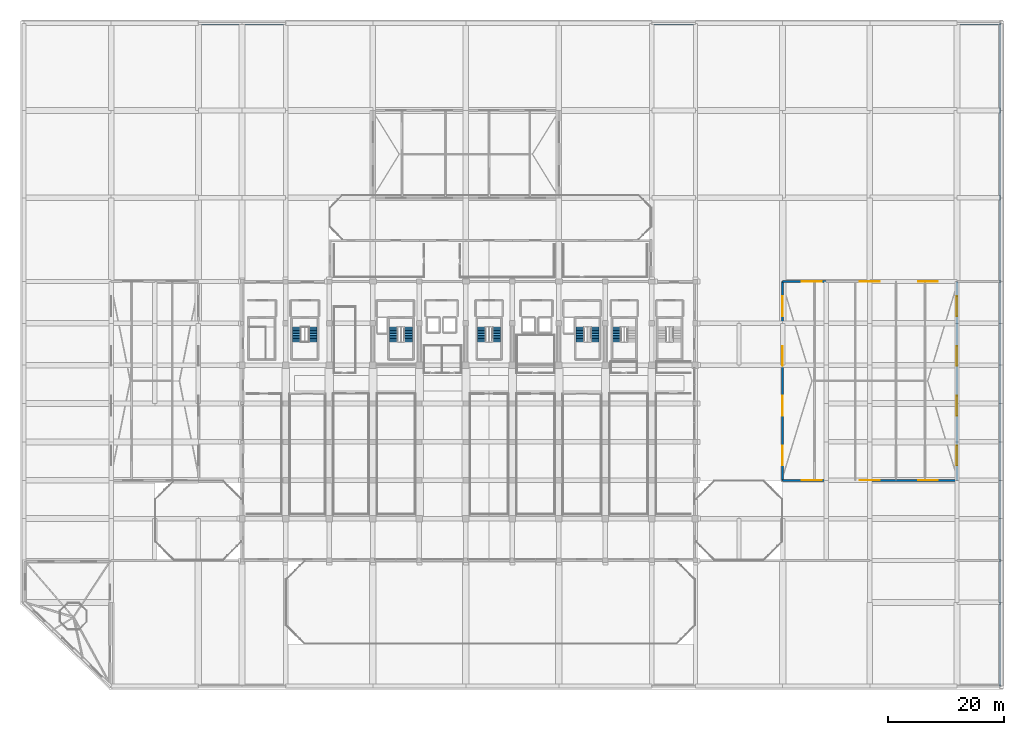
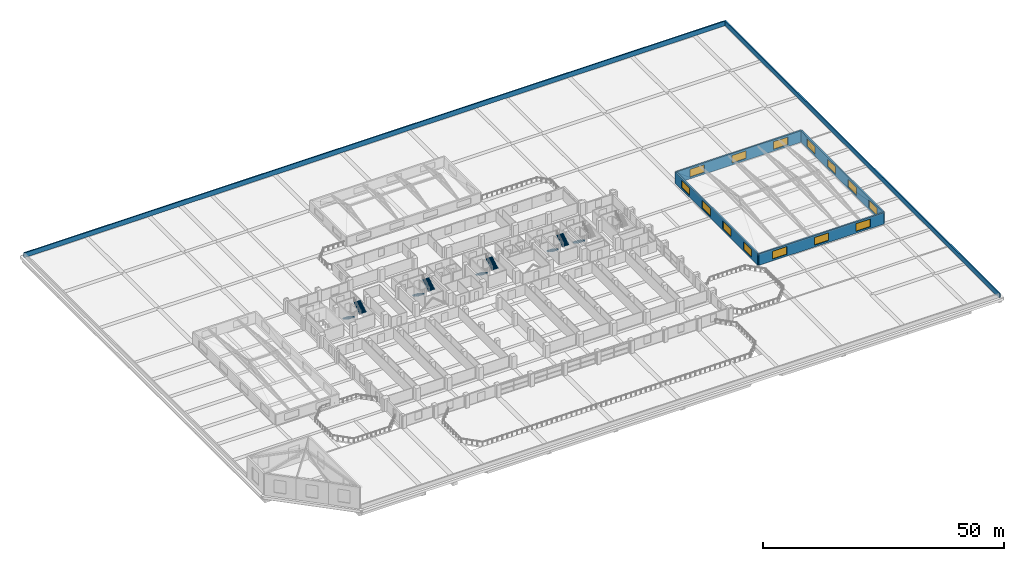
# One storey, part 43 of 49: 14 windows, 9 stair flights, 6 walls, 14 openings, 5 elements without a shape of their own.
"""IFC4 building model written with IfcOpenShell, lengths in metres."""

from ifc_helpers import new_model, si_unit, direction, frame, frame_2d, origin, place, context, subcontext, project, spatial, polyline, rectangle, outline, extrude, material, layer, layer_set, type_object, element, fill, aggregate, save


model = new_model("IFC4")

# Units and contexts
model_context = context("Model", 3, precision=1e-05, world=origin(), true_north=direction((0.0, 1.0)))
body_context = subcontext(model_context, "Body", "Model", "MODEL_VIEW")
ifc_project = project(units=[si_unit("LENGTHUNIT", "METRE"), si_unit("AREAUNIT", "SQUARE_METRE"), si_unit("VOLUMEUNIT", "CUBIC_METRE"), si_unit("PLANEANGLEUNIT", "RADIAN"), si_unit("MASSUNIT", "GRAM", prefix="KILO")], contexts=[model_context])

# Site, building, storey
site_placement = place(None, origin())
site = spatial("IfcSite", under=ifc_project, at=site_placement, CompositionType="ELEMENT")
building_placement = place(site_placement, origin())
building = spatial("IfcBuilding", under=site, at=building_placement, Name="Akrevak Sports Hall", CompositionType="ELEMENT")
storey_placement = place(building_placement, frame((0.0, 0.0, 24.14990234375)))
storey = spatial("IfcBuildingStorey", under=building, at=storey_placement, Name="L04", CompositionType="ELEMENT", Elevation=24.14990234375)

# Wall, openings, windows
ifc_material_1 = material(Name="Limestone Ashlar", Category="stone")
ifc_layer_1 = layer(ifc_material_1, 0.070068359375, Name="Limestone Ashlar")
ifc_material_2 = material(Name="Mineral Wool Thermal Insulation", Category="insulation")
ifc_layer_2 = layer(ifc_material_2, 0.10009765625, Name="Mineral Wool Thermal Insulation")
ifc_material_3 = material(Name="Concrete C40/50", Category="concrete")
ifc_layer_3 = layer(ifc_material_3, 0.169921875, Name="Concrete C40/50")
ifc_layer_set_1 = layer_set([ifc_layer_1, ifc_layer_2, ifc_layer_3], Name="Limestone Ashlar / Mineral Wool Thermal Insulation / Concrete C40/50")
wall_type_1 = type_object("IfcWallType", Name="ARC-WL-EXT-340", PredefinedType="SOLIDWALL", material=ifc_layer_set_1)
wall_1_placement = place(storey_placement, frame((130.5, 35.39990234375, 0.0), z_axis=(0.0, 0.0, 1.0), x_axis=(1.0, 0.0, 0.0)))
wall_1 = element("IfcWall", 1, at=wall_1_placement, inside=storey, type_object=wall_type_1, Name="East Volleyball & Climbing Monitor S Wall", PredefinedType="SOLIDWALL", context=body_context, shape_type="SweptSolid", body=[
    extrude(rectangle(XDim=30.0, YDim=0.340087890625, at=frame_2d((15.0, 0.0))), origin(), (0.0, 0.0, 1.0), 2.900146484375),
])
opening_1_placement = place(wall_1_placement, frame((3.300048828125, 0.0, 0.4599609375)))
opening_1 = element("IfcOpeningElement", 2, at=opening_1_placement, cuts=wall_1, Name="Opening WN-60", PredefinedType="OPENING", context=body_context, shape_type="SweptSolid", body=[
    extrude(rectangle(XDim=3.39990234375, YDim=1.93994140625, at=frame_2d((1.699951171875, 0.969970703125))), frame((0.0, 0.18212890625, 0.0), z_axis=(0.0, -1.0, 0.0), x_axis=(1.0, 0.0, 0.0)), (0.0, 0.0, 1.0), 0.364013671875),
])
opening_2_placement = place(wall_1_placement, frame((13.300048828125, 0.0, 0.4599609375)))
opening_2 = element("IfcOpeningElement", 3, at=opening_2_placement, cuts=wall_1, Name="Opening WN-60", PredefinedType="OPENING", context=body_context, shape_type="SweptSolid", body=[
    extrude(rectangle(XDim=3.39990234375, YDim=1.93994140625, at=frame_2d((1.699951171875, 0.969970703125))), frame((0.0, 0.18212890625, 0.0), z_axis=(0.0, -1.0, 0.0), x_axis=(1.0, 0.0, 0.0)), (0.0, 0.0, 1.0), 0.364013671875),
])
opening_3_placement = place(wall_1_placement, frame((23.300048828125, 0.0, 0.4599609375)))
opening_3 = element("IfcOpeningElement", 4, at=opening_3_placement, cuts=wall_1, Name="Opening WN-60", PredefinedType="OPENING", context=body_context, shape_type="SweptSolid", body=[
    extrude(rectangle(XDim=3.39990234375, YDim=1.93994140625, at=frame_2d((1.699951171875, 0.969970703125))), frame((0.0, 0.18212890625, 0.0), z_axis=(0.0, -1.0, 0.0), x_axis=(1.0, 0.0, 0.0)), (0.0, 0.0, 1.0), 0.364013671875),
])
ifc_material_4 = material(Name="Thermally Broken Bronze Frame & Double Low-E Glass", Category="glass")
window_type = type_object("IfcWindowType", Name="ARC-WIN-SZ-3400x1940", PartitioningType="SINGLE_PANEL", PredefinedType="WINDOW", material=ifc_material_4)
window_1_placement = place(opening_1_placement, origin())
window_1 = element("IfcWindow", 5, at=window_1_placement, inside=storey, type_object=window_type, Name="East Volleyball & Climbing Monitor Clerestory Window S.1", OverallHeight=1.93994140625, OverallWidth=3.39990234375, PartitioningType="SINGLE_PANEL", PredefinedType="WINDOW", context=body_context, shape_type="SweptSolid", body=[
    extrude(rectangle(XDim=3.39990234375, YDim=1.93994140625, at=frame_2d((1.699951171875, 0.969970703125))), frame((0.0, 0.030029296875, 0.0), z_axis=(0.0, -1.0, 0.0), x_axis=(1.0, 0.0, 0.0)), (0.0, 0.0, 1.0), 0.06005859375),
])
fill(opening_1, window_1)
window_2_placement = place(opening_2_placement, origin())
window_2 = element("IfcWindow", 6, at=window_2_placement, inside=storey, type_object=window_type, Name="East Volleyball & Climbing Monitor Clerestory Window S.2", OverallHeight=1.93994140625, OverallWidth=3.39990234375, PartitioningType="SINGLE_PANEL", PredefinedType="WINDOW", context=body_context, shape_type="SweptSolid", body=[
    extrude(rectangle(XDim=3.39990234375, YDim=1.93994140625, at=frame_2d((1.699951171875, 0.969970703125))), frame((0.0, 0.030029296875, 0.0), z_axis=(0.0, -1.0, 0.0), x_axis=(1.0, 0.0, 0.0)), (0.0, 0.0, 1.0), 0.06005859375),
])
fill(opening_2, window_2)
window_3_placement = place(opening_3_placement, origin())
window_3 = element("IfcWindow", 7, at=window_3_placement, inside=storey, type_object=window_type, Name="East Volleyball & Climbing Monitor Clerestory Window S.3", OverallHeight=1.93994140625, OverallWidth=3.39990234375, PartitioningType="SINGLE_PANEL", PredefinedType="WINDOW", context=body_context, shape_type="SweptSolid", body=[
    extrude(rectangle(XDim=3.39990234375, YDim=1.93994140625, at=frame_2d((1.699951171875, 0.969970703125))), frame((0.0, 0.030029296875, 0.0), z_axis=(0.0, -1.0, 0.0), x_axis=(1.0, 0.0, 0.0)), (0.0, 0.0, 1.0), 0.06005859375),
])
fill(opening_3, window_3)

wall_2_placement = place(storey_placement, frame((160.5, 35.39990234375, 0.0), z_axis=(0.0, 0.0, 1.0), x_axis=(0.0, 1.0, 0.0)))
wall_2 = element("IfcWall", 8, at=wall_2_placement, inside=storey, type_object=wall_type_1, Name="East Volleyball & Climbing Monitor E Wall", PredefinedType="SOLIDWALL", context=body_context, shape_type="SweptSolid", body=[
    extrude(rectangle(XDim=34.2001953125, YDim=0.340087890625, at=frame_2d((17.10009765625, 0.0))), origin(), (0.0, 0.0, 1.0), 2.900146484375),
])
opening_4_placement = place(wall_2_placement, frame((2.574951171875, 0.0, 0.4599609375)))
opening_4 = element("IfcOpeningElement", 9, at=opening_4_placement, cuts=wall_2, Name="Opening WN-60", PredefinedType="OPENING", context=body_context, shape_type="SweptSolid", body=[
    extrude(rectangle(XDim=3.39990234375, YDim=1.93994140625, at=frame_2d((1.699951171875, 0.969970703125))), frame((0.0, 0.18212890625, 0.0), z_axis=(0.0, -1.0, 0.0), x_axis=(1.0, 0.0, 0.0)), (0.0, 0.0, 1.0), 0.364013671875),
])
opening_5_placement = place(wall_2_placement, frame((11.125, 0.0, 0.4599609375)))
opening_5 = element("IfcOpeningElement", 10, at=opening_5_placement, cuts=wall_2, Name="Opening WN-60", PredefinedType="OPENING", context=body_context, shape_type="SweptSolid", body=[
    extrude(rectangle(XDim=3.39990234375, YDim=1.93994140625, at=frame_2d((1.699951171875, 0.969970703125))), frame((0.0, 0.18212890625, 0.0), z_axis=(0.0, -1.0, 0.0), x_axis=(1.0, 0.0, 0.0)), (0.0, 0.0, 1.0), 0.364013671875),
])
opening_6_placement = place(wall_2_placement, frame((19.675048828125, 0.0, 0.4599609375)))
opening_6 = element("IfcOpeningElement", 11, at=opening_6_placement, cuts=wall_2, Name="Opening WN-60", PredefinedType="OPENING", context=body_context, shape_type="SweptSolid", body=[
    extrude(rectangle(XDim=3.39990234375, YDim=1.93994140625, at=frame_2d((1.699951171875, 0.969970703125))), frame((0.0, 0.18212890625, 0.0), z_axis=(0.0, -1.0, 0.0), x_axis=(1.0, 0.0, 0.0)), (0.0, 0.0, 1.0), 0.364013671875),
])
opening_7_placement = place(wall_2_placement, frame((28.22509765625, 0.0, 0.4599609375)))
opening_7 = element("IfcOpeningElement", 12, at=opening_7_placement, cuts=wall_2, Name="Opening WN-60", PredefinedType="OPENING", context=body_context, shape_type="SweptSolid", body=[
    extrude(rectangle(XDim=3.39990234375, YDim=1.93994140625, at=frame_2d((1.699951171875, 0.969970703125))), frame((0.0, 0.18212890625, 0.0), z_axis=(0.0, -1.0, 0.0), x_axis=(1.0, 0.0, 0.0)), (0.0, 0.0, 1.0), 0.364013671875),
])
window_4_placement = place(opening_4_placement, origin())
window_4 = element("IfcWindow", 13, at=window_4_placement, inside=storey, type_object=window_type, Name="East Volleyball & Climbing Monitor Clerestory Window E.1", OverallHeight=1.93994140625, OverallWidth=3.39990234375, PartitioningType="SINGLE_PANEL", PredefinedType="WINDOW", context=body_context, shape_type="SweptSolid", body=[
    extrude(rectangle(XDim=3.39990234375, YDim=1.93994140625, at=frame_2d((1.699951171875, 0.969970703125))), frame((0.0, 0.030029296875, 0.0), z_axis=(0.0, -1.0, 0.0), x_axis=(1.0, 0.0, 0.0)), (0.0, 0.0, 1.0), 0.06005859375),
])
fill(opening_4, window_4)
window_5_placement = place(opening_5_placement, origin())
window_5 = element("IfcWindow", 14, at=window_5_placement, inside=storey, type_object=window_type, Name="East Volleyball & Climbing Monitor Clerestory Window E.2", OverallHeight=1.93994140625, OverallWidth=3.39990234375, PartitioningType="SINGLE_PANEL", PredefinedType="WINDOW", context=body_context, shape_type="SweptSolid", body=[
    extrude(rectangle(XDim=3.39990234375, YDim=1.93994140625, at=frame_2d((1.699951171875, 0.969970703125))), frame((0.0, 0.030029296875, 0.0), z_axis=(0.0, -1.0, 0.0), x_axis=(1.0, 0.0, 0.0)), (0.0, 0.0, 1.0), 0.06005859375),
])
fill(opening_5, window_5)
window_6_placement = place(opening_6_placement, origin())
window_6 = element("IfcWindow", 15, at=window_6_placement, inside=storey, type_object=window_type, Name="East Volleyball & Climbing Monitor Clerestory Window E.3", OverallHeight=1.93994140625, OverallWidth=3.39990234375, PartitioningType="SINGLE_PANEL", PredefinedType="WINDOW", context=body_context, shape_type="SweptSolid", body=[
    extrude(rectangle(XDim=3.39990234375, YDim=1.93994140625, at=frame_2d((1.699951171875, 0.969970703125))), frame((0.0, 0.030029296875, 0.0), z_axis=(0.0, -1.0, 0.0), x_axis=(1.0, 0.0, 0.0)), (0.0, 0.0, 1.0), 0.06005859375),
])
fill(opening_6, window_6)
window_7_placement = place(opening_7_placement, origin())
window_7 = element("IfcWindow", 16, at=window_7_placement, inside=storey, type_object=window_type, Name="East Volleyball & Climbing Monitor Clerestory Window E.4", OverallHeight=1.93994140625, OverallWidth=3.39990234375, PartitioningType="SINGLE_PANEL", PredefinedType="WINDOW", context=body_context, shape_type="SweptSolid", body=[
    extrude(rectangle(XDim=3.39990234375, YDim=1.93994140625, at=frame_2d((1.699951171875, 0.969970703125))), frame((0.0, 0.030029296875, 0.0), z_axis=(0.0, -1.0, 0.0), x_axis=(1.0, 0.0, 0.0)), (0.0, 0.0, 1.0), 0.06005859375),
])
fill(opening_7, window_7)

wall_3_placement = place(storey_placement, frame((160.5, 69.60009765625, 0.0), z_axis=(0.0, 0.0, 1.0), x_axis=(-1.0, 0.0, 0.0)))
wall_3 = element("IfcWall", 17, at=wall_3_placement, inside=storey, type_object=wall_type_1, Name="East Volleyball & Climbing Monitor N Wall", PredefinedType="SOLIDWALL", context=body_context, shape_type="SweptSolid", body=[
    extrude(rectangle(XDim=30.0, YDim=0.340087890625, at=frame_2d((15.0, 0.0))), origin(), (0.0, 0.0, 1.0), 2.900146484375),
])
opening_8_placement = place(wall_3_placement, frame((3.300048828125, 0.0, 0.4599609375)))
opening_8 = element("IfcOpeningElement", 18, at=opening_8_placement, cuts=wall_3, Name="Opening WN-60", PredefinedType="OPENING", context=body_context, shape_type="SweptSolid", body=[
    extrude(rectangle(XDim=3.39990234375, YDim=1.93994140625, at=frame_2d((1.699951171875, 0.969970703125))), frame((0.0, 0.18212890625, 0.0), z_axis=(0.0, -1.0, 0.0), x_axis=(1.0, 0.0, 0.0)), (0.0, 0.0, 1.0), 0.364013671875),
])
opening_9_placement = place(wall_3_placement, frame((13.300048828125, 0.0, 0.4599609375)))
opening_9 = element("IfcOpeningElement", 19, at=opening_9_placement, cuts=wall_3, Name="Opening WN-60", PredefinedType="OPENING", context=body_context, shape_type="SweptSolid", body=[
    extrude(rectangle(XDim=3.39990234375, YDim=1.93994140625, at=frame_2d((1.699951171875, 0.969970703125))), frame((0.0, 0.18212890625, 0.0), z_axis=(0.0, -1.0, 0.0), x_axis=(1.0, 0.0, 0.0)), (0.0, 0.0, 1.0), 0.364013671875),
])
opening_10_placement = place(wall_3_placement, frame((23.300048828125, 0.0, 0.4599609375)))
opening_10 = element("IfcOpeningElement", 20, at=opening_10_placement, cuts=wall_3, Name="Opening WN-60", PredefinedType="OPENING", context=body_context, shape_type="SweptSolid", body=[
    extrude(rectangle(XDim=3.39990234375, YDim=1.93994140625, at=frame_2d((1.699951171875, 0.969970703125))), frame((0.0, 0.18212890625, 0.0), z_axis=(0.0, -1.0, 0.0), x_axis=(1.0, 0.0, 0.0)), (0.0, 0.0, 1.0), 0.364013671875),
])
window_8_placement = place(opening_8_placement, origin())
window_8 = element("IfcWindow", 21, at=window_8_placement, inside=storey, type_object=window_type, Name="East Volleyball & Climbing Monitor Clerestory Window N.1", OverallHeight=1.93994140625, OverallWidth=3.39990234375, PartitioningType="SINGLE_PANEL", PredefinedType="WINDOW", context=body_context, shape_type="SweptSolid", body=[
    extrude(rectangle(XDim=3.39990234375, YDim=1.93994140625, at=frame_2d((1.699951171875, 0.969970703125))), frame((0.0, 0.030029296875, 0.0), z_axis=(0.0, -1.0, 0.0), x_axis=(1.0, 0.0, 0.0)), (0.0, 0.0, 1.0), 0.06005859375),
])
fill(opening_8, window_8)
window_9_placement = place(opening_9_placement, origin())
window_9 = element("IfcWindow", 22, at=window_9_placement, inside=storey, type_object=window_type, Name="East Volleyball & Climbing Monitor Clerestory Window N.2", OverallHeight=1.93994140625, OverallWidth=3.39990234375, PartitioningType="SINGLE_PANEL", PredefinedType="WINDOW", context=body_context, shape_type="SweptSolid", body=[
    extrude(rectangle(XDim=3.39990234375, YDim=1.93994140625, at=frame_2d((1.699951171875, 0.969970703125))), frame((0.0, 0.030029296875, 0.0), z_axis=(0.0, -1.0, 0.0), x_axis=(1.0, 0.0, 0.0)), (0.0, 0.0, 1.0), 0.06005859375),
])
fill(opening_9, window_9)
window_10_placement = place(opening_10_placement, origin())
window_10 = element("IfcWindow", 23, at=window_10_placement, inside=storey, type_object=window_type, Name="East Volleyball & Climbing Monitor Clerestory Window N.3", OverallHeight=1.93994140625, OverallWidth=3.39990234375, PartitioningType="SINGLE_PANEL", PredefinedType="WINDOW", context=body_context, shape_type="SweptSolid", body=[
    extrude(rectangle(XDim=3.39990234375, YDim=1.93994140625, at=frame_2d((1.699951171875, 0.969970703125))), frame((0.0, 0.030029296875, 0.0), z_axis=(0.0, -1.0, 0.0), x_axis=(1.0, 0.0, 0.0)), (0.0, 0.0, 1.0), 0.06005859375),
])
fill(opening_10, window_10)

wall_4_placement = place(storey_placement, frame((130.5, 69.60009765625, 0.0), z_axis=(0.0, 0.0, 1.0), x_axis=(0.0, -1.0, 0.0)))
wall_4 = element("IfcWall", 24, at=wall_4_placement, inside=storey, type_object=wall_type_1, Name="East Volleyball & Climbing Monitor W Wall", PredefinedType="SOLIDWALL", context=body_context, shape_type="SweptSolid", body=[
    extrude(rectangle(XDim=34.2001953125, YDim=0.340087890625, at=frame_2d((17.10009765625, 0.0))), origin(), (0.0, 0.0, 1.0), 2.900146484375),
])
opening_11_placement = place(wall_4_placement, frame((2.574951171875, 0.0, 0.4599609375)))
opening_11 = element("IfcOpeningElement", 25, at=opening_11_placement, cuts=wall_4, Name="Opening WN-60", PredefinedType="OPENING", context=body_context, shape_type="SweptSolid", body=[
    extrude(rectangle(XDim=3.39990234375, YDim=1.93994140625, at=frame_2d((1.699951171875, 0.969970703125))), frame((0.0, 0.18212890625, 0.0), z_axis=(0.0, -1.0, 0.0), x_axis=(1.0, 0.0, 0.0)), (0.0, 0.0, 1.0), 0.364013671875),
])
opening_12_placement = place(wall_4_placement, frame((11.125, 0.0, 0.4599609375)))
opening_12 = element("IfcOpeningElement", 26, at=opening_12_placement, cuts=wall_4, Name="Opening WN-60", PredefinedType="OPENING", context=body_context, shape_type="SweptSolid", body=[
    extrude(rectangle(XDim=3.39990234375, YDim=1.93994140625, at=frame_2d((1.699951171875, 0.969970703125))), frame((0.0, 0.18212890625, 0.0), z_axis=(0.0, -1.0, 0.0), x_axis=(1.0, 0.0, 0.0)), (0.0, 0.0, 1.0), 0.364013671875),
])
opening_13_placement = place(wall_4_placement, frame((19.675048828125, 0.0, 0.4599609375)))
opening_13 = element("IfcOpeningElement", 27, at=opening_13_placement, cuts=wall_4, Name="Opening WN-60", PredefinedType="OPENING", context=body_context, shape_type="SweptSolid", body=[
    extrude(rectangle(XDim=3.39990234375, YDim=1.93994140625, at=frame_2d((1.699951171875, 0.969970703125))), frame((0.0, 0.18212890625, 0.0), z_axis=(0.0, -1.0, 0.0), x_axis=(1.0, 0.0, 0.0)), (0.0, 0.0, 1.0), 0.364013671875),
])
opening_14_placement = place(wall_4_placement, frame((28.22509765625, 0.0, 0.4599609375)))
opening_14 = element("IfcOpeningElement", 28, at=opening_14_placement, cuts=wall_4, Name="Opening WN-60", PredefinedType="OPENING", context=body_context, shape_type="SweptSolid", body=[
    extrude(rectangle(XDim=3.39990234375, YDim=1.93994140625, at=frame_2d((1.699951171875, 0.969970703125))), frame((0.0, 0.18212890625, 0.0), z_axis=(0.0, -1.0, 0.0), x_axis=(1.0, 0.0, 0.0)), (0.0, 0.0, 1.0), 0.364013671875),
])
window_11_placement = place(opening_11_placement, origin())
window_11 = element("IfcWindow", 29, at=window_11_placement, inside=storey, type_object=window_type, Name="East Volleyball & Climbing Monitor Clerestory Window W.1", OverallHeight=1.93994140625, OverallWidth=3.39990234375, PartitioningType="SINGLE_PANEL", PredefinedType="WINDOW", context=body_context, shape_type="SweptSolid", body=[
    extrude(rectangle(XDim=3.39990234375, YDim=1.93994140625, at=frame_2d((1.699951171875, 0.969970703125))), frame((0.0, 0.030029296875, 0.0), z_axis=(0.0, -1.0, 0.0), x_axis=(1.0, 0.0, 0.0)), (0.0, 0.0, 1.0), 0.06005859375),
])
fill(opening_11, window_11)
window_12_placement = place(opening_12_placement, origin())
window_12 = element("IfcWindow", 30, at=window_12_placement, inside=storey, type_object=window_type, Name="East Volleyball & Climbing Monitor Clerestory Window W.2", OverallHeight=1.93994140625, OverallWidth=3.39990234375, PartitioningType="SINGLE_PANEL", PredefinedType="WINDOW", context=body_context, shape_type="SweptSolid", body=[
    extrude(rectangle(XDim=3.39990234375, YDim=1.93994140625, at=frame_2d((1.699951171875, 0.969970703125))), frame((0.0, 0.030029296875, 0.0), z_axis=(0.0, -1.0, 0.0), x_axis=(1.0, 0.0, 0.0)), (0.0, 0.0, 1.0), 0.06005859375),
])
fill(opening_12, window_12)
window_13_placement = place(opening_13_placement, origin())
window_13 = element("IfcWindow", 31, at=window_13_placement, inside=storey, type_object=window_type, Name="East Volleyball & Climbing Monitor Clerestory Window W.3", OverallHeight=1.93994140625, OverallWidth=3.39990234375, PartitioningType="SINGLE_PANEL", PredefinedType="WINDOW", context=body_context, shape_type="SweptSolid", body=[
    extrude(rectangle(XDim=3.39990234375, YDim=1.93994140625, at=frame_2d((1.699951171875, 0.969970703125))), frame((0.0, 0.030029296875, 0.0), z_axis=(0.0, -1.0, 0.0), x_axis=(1.0, 0.0, 0.0)), (0.0, 0.0, 1.0), 0.06005859375),
])
fill(opening_13, window_13)
window_14_placement = place(opening_14_placement, origin())
window_14 = element("IfcWindow", 32, at=window_14_placement, inside=storey, type_object=window_type, Name="East Volleyball & Climbing Monitor Clerestory Window W.4", OverallHeight=1.93994140625, OverallWidth=3.39990234375, PartitioningType="SINGLE_PANEL", PredefinedType="WINDOW", context=body_context, shape_type="SweptSolid", body=[
    extrude(rectangle(XDim=3.39990234375, YDim=1.93994140625, at=frame_2d((1.699951171875, 0.969970703125))), frame((0.0, 0.030029296875, 0.0), z_axis=(0.0, -1.0, 0.0), x_axis=(1.0, 0.0, 0.0)), (0.0, 0.0, 1.0), 0.06005859375),
])
fill(opening_14, window_14)

# Walls
ifc_layer_4 = layer(ifc_material_1, 0.06005859375, Name="Limestone Ashlar")
ifc_layer_5 = layer(ifc_material_2, 0.0400390625, Name="Mineral Wool Thermal Insulation")
ifc_layer_6 = layer(ifc_material_3, 0.179931640625, Name="Concrete C40/50")
ifc_layer_set_2 = layer_set([ifc_layer_4, ifc_layer_5, ifc_layer_6], Name="Limestone Ashlar / Mineral Wool Thermal Insulation / Concrete C40/50")
wall_type_2 = type_object("IfcWallType", Name="ARC-WL-PAR-280", PredefinedType="PARAPET", material=ifc_layer_set_2)
wall_5_placement = place(storey_placement, frame((167.860107421875, 0.0, 0.0), z_axis=(0.0, 0.0, 1.0), x_axis=(0.0, 1.0, 0.0)))
element("IfcWall", 33, at=wall_5_placement, inside=storey, type_object=wall_type_2, Name="Podium Roof Stone Cornice Parapet 2", PredefinedType="PARAPET", context=body_context, shape_type="SweptSolid", body=[
    extrude(rectangle(XDim=114.0, YDim=0.280029296875, at=frame_2d((57.0, 0.0))), origin(), (0.0, 0.0, 1.0), 1.2001953125),
])
wall_6_placement = place(storey_placement, frame((168.0, 113.860107421875, 0.0), z_axis=(0.0, 0.0, 1.0), x_axis=(-1.0, 0.0, 0.0)))
element("IfcWall", 34, at=wall_6_placement, inside=storey, type_object=wall_type_2, Name="Podium Roof Stone Cornice Parapet 3", PredefinedType="PARAPET", context=body_context, shape_type="SweptSolid", body=[
    extrude(rectangle(XDim=168.0, YDim=0.280029296875, at=frame_2d((84.0, 0.0))), origin(), (0.0, 0.0, 1.0), 1.2001953125),
])

# Stair, stair flights
stair_type_1 = type_object("IfcStairType", Name="ARC-STR-DOG-340", PredefinedType="HALF_TURN_STAIR", material=ifc_material_3)
stair_1_placement = place(storey_placement, origin())
stair_1 = element("IfcStair", 35, at=stair_1_placement, inside=storey, type_object=stair_type_1, Name="Protected Exit Stair ST1 (L04 to L05)", PredefinedType="HALF_TURN_STAIR")
stair_flight_type_1 = type_object("IfcStairFlightType", Name="ARC-FLT-165-170", PredefinedType="STRAIGHT", material=ifc_material_3)
stair_flight_1_placement = place(storey_placement, frame((63.610107421875, 61.735107421875, 0.0), z_axis=(0.0, 0.0, 1.0), x_axis=(0.0, -1.0, 0.0)))
stair_flight_1 = element("IfcStairFlight", 36, at=stair_flight_1_placement, type_object=stair_flight_type_1, Name="Stair ST1 Flight 1 (L04)", NumberOfRisers=10, NumberOfTreads=9, PredefinedType="STRAIGHT", RiserHeight=0.17, TreadLength=0.28, context=body_context, shape_type="SweptSolid", body=[
    extrude(outline(polyline([(0.0, 0.0), (0.0, 0.169921875), (0.280029296875, 0.169921875), (0.280029296875, 0.340087890625), (0.56005859375, 0.340087890625), (0.56005859375, 0.510009765625), (0.840087890625, 0.510009765625), (0.840087890625, 0.679931640625), (1.1201171875, 0.679931640625), (1.1201171875, 0.85009765625), (1.39990234375, 0.85009765625), (1.39990234375, 1.02001953125), (1.679931640625, 1.02001953125), (1.679931640625, 1.18994140625), (1.9599609375, 1.18994140625), (1.9599609375, 1.360107421875), (2.239990234375, 1.360107421875), (2.239990234375, 1.530029296875), (2.52001953125, 1.530029296875), (2.52001953125, 1.699951171875), (2.52001953125, 1.296142578125), (0.38525390625, 0.0), (0.0, 0.0)])), frame((0.0, 0.75, 0.0), z_axis=(0.0, -1.0, 0.0), x_axis=(1.0, 0.0, 0.0)), (0.0, 0.0, 1.0), 1.5),
])
stair_flight_2_placement = place(storey_placement, frame((66.090087890625, 59.215087890625, 1.7001953125), z_axis=(0.0, 0.0, 1.0), x_axis=(0.0, 1.0, 0.0)))
stair_flight_2 = element("IfcStairFlight", 37, at=stair_flight_2_placement, type_object=stair_flight_type_1, Name="Stair ST1 Flight 2 (L04)", NumberOfRisers=10, NumberOfTreads=9, PredefinedType="STRAIGHT", RiserHeight=0.17, TreadLength=0.28, context=body_context, shape_type="SweptSolid", body=[
    extrude(outline(polyline([(0.0, 0.0), (0.0, 0.169921875), (0.280029296875, 0.169921875), (0.280029296875, 0.340087890625), (0.56005859375, 0.340087890625), (0.56005859375, 0.510009765625), (0.840087890625, 0.510009765625), (0.840087890625, 0.679931640625), (1.1201171875, 0.679931640625), (1.1201171875, 0.85009765625), (1.39990234375, 0.85009765625), (1.39990234375, 1.02001953125), (1.679931640625, 1.02001953125), (1.679931640625, 1.18994140625), (1.9599609375, 1.18994140625), (1.9599609375, 1.360107421875), (2.239990234375, 1.360107421875), (2.239990234375, 1.530029296875), (2.52001953125, 1.530029296875), (2.52001953125, 1.699951171875), (2.52001953125, 1.296142578125), (0.38525390625, 0.0), (0.0, 0.0)])), frame((0.0, 0.75, 0.0), z_axis=(0.0, -1.0, 0.0), x_axis=(1.0, 0.0, 0.0)), (0.0, 0.0, 1.0), 1.5),
])
aggregate(stair_1, [stair_flight_1, stair_flight_2])

stair_2_placement = place(storey_placement, origin())
stair_2 = element("IfcStair", 38, at=stair_2_placement, inside=storey, type_object=stair_type_1, Name="Protected Exit Stair ST2 (L04 to L05)", PredefinedType="HALF_TURN_STAIR")
stair_flight_3_placement = place(storey_placement, frame((95.7099609375, 61.735107421875, 0.0), z_axis=(0.0, 0.0, 1.0), x_axis=(0.0, -1.0, 0.0)))
stair_flight_3 = element("IfcStairFlight", 39, at=stair_flight_3_placement, type_object=stair_flight_type_1, Name="Stair ST2 Flight 1 (L04)", NumberOfRisers=10, NumberOfTreads=9, PredefinedType="STRAIGHT", RiserHeight=0.17, TreadLength=0.28, context=body_context, shape_type="SweptSolid", body=[
    extrude(outline(polyline([(0.0, 0.0), (0.0, 0.169921875), (0.280029296875, 0.169921875), (0.280029296875, 0.340087890625), (0.56005859375, 0.340087890625), (0.56005859375, 0.510009765625), (0.840087890625, 0.510009765625), (0.840087890625, 0.679931640625), (1.1201171875, 0.679931640625), (1.1201171875, 0.85009765625), (1.39990234375, 0.85009765625), (1.39990234375, 1.02001953125), (1.679931640625, 1.02001953125), (1.679931640625, 1.18994140625), (1.9599609375, 1.18994140625), (1.9599609375, 1.360107421875), (2.239990234375, 1.360107421875), (2.239990234375, 1.530029296875), (2.52001953125, 1.530029296875), (2.52001953125, 1.699951171875), (2.52001953125, 1.296142578125), (0.38525390625, 0.0), (0.0, 0.0)])), frame((0.0, 0.75, 0.0), z_axis=(0.0, -1.0, 0.0), x_axis=(1.0, 0.0, 0.0)), (0.0, 0.0, 1.0), 1.5),
])
stair_flight_4_placement = place(storey_placement, frame((98.18994140625, 59.215087890625, 1.7001953125), z_axis=(0.0, 0.0, 1.0), x_axis=(0.0, 1.0, 0.0)))
stair_flight_4 = element("IfcStairFlight", 40, at=stair_flight_4_placement, type_object=stair_flight_type_1, Name="Stair ST2 Flight 2 (L04)", NumberOfRisers=10, NumberOfTreads=9, PredefinedType="STRAIGHT", RiserHeight=0.17, TreadLength=0.28, context=body_context, shape_type="SweptSolid", body=[
    extrude(outline(polyline([(0.0, 0.0), (0.0, 0.169921875), (0.280029296875, 0.169921875), (0.280029296875, 0.340087890625), (0.56005859375, 0.340087890625), (0.56005859375, 0.510009765625), (0.840087890625, 0.510009765625), (0.840087890625, 0.679931640625), (1.1201171875, 0.679931640625), (1.1201171875, 0.85009765625), (1.39990234375, 0.85009765625), (1.39990234375, 1.02001953125), (1.679931640625, 1.02001953125), (1.679931640625, 1.18994140625), (1.9599609375, 1.18994140625), (1.9599609375, 1.360107421875), (2.239990234375, 1.360107421875), (2.239990234375, 1.530029296875), (2.52001953125, 1.530029296875), (2.52001953125, 1.699951171875), (2.52001953125, 1.296142578125), (0.38525390625, 0.0), (0.0, 0.0)])), frame((0.0, 0.75, 0.0), z_axis=(0.0, -1.0, 0.0), x_axis=(1.0, 0.0, 0.0)), (0.0, 0.0, 1.0), 1.5),
])
aggregate(stair_2, [stair_flight_3, stair_flight_4])

stair_3_placement = place(storey_placement, origin())
stair_3 = element("IfcStair", 41, at=stair_3_placement, inside=storey, type_object=stair_type_1, Name="Protected Exit Stair ST3 (L04 to L05)", PredefinedType="HALF_TURN_STAIR")
stair_flight_5_placement = place(storey_placement, frame((78.760009765625, 61.735107421875, 0.0), z_axis=(0.0, 0.0, 1.0), x_axis=(0.0, -1.0, 0.0)))
stair_flight_5 = element("IfcStairFlight", 42, at=stair_flight_5_placement, type_object=stair_flight_type_1, Name="Stair ST3 Flight 1 (L04)", NumberOfRisers=10, NumberOfTreads=9, PredefinedType="STRAIGHT", RiserHeight=0.17, TreadLength=0.28, context=body_context, shape_type="SweptSolid", body=[
    extrude(outline(polyline([(0.0, 0.0), (0.0, 0.169921875), (0.280029296875, 0.169921875), (0.280029296875, 0.340087890625), (0.56005859375, 0.340087890625), (0.56005859375, 0.510009765625), (0.840087890625, 0.510009765625), (0.840087890625, 0.679931640625), (1.1201171875, 0.679931640625), (1.1201171875, 0.85009765625), (1.39990234375, 0.85009765625), (1.39990234375, 1.02001953125), (1.679931640625, 1.02001953125), (1.679931640625, 1.18994140625), (1.9599609375, 1.18994140625), (1.9599609375, 1.360107421875), (2.239990234375, 1.360107421875), (2.239990234375, 1.530029296875), (2.52001953125, 1.530029296875), (2.52001953125, 1.699951171875), (2.52001953125, 1.296142578125), (0.38525390625, 0.0), (0.0, 0.0)])), frame((0.0, 0.75, 0.0), z_axis=(0.0, -1.0, 0.0), x_axis=(1.0, 0.0, 0.0)), (0.0, 0.0, 1.0), 1.5),
])
stair_flight_6_placement = place(storey_placement, frame((81.239990234375, 59.215087890625, 1.7001953125), z_axis=(0.0, 0.0, 1.0), x_axis=(0.0, 1.0, 0.0)))
stair_flight_6 = element("IfcStairFlight", 43, at=stair_flight_6_placement, type_object=stair_flight_type_1, Name="Stair ST3 Flight 2 (L04)", NumberOfRisers=10, NumberOfTreads=9, PredefinedType="STRAIGHT", RiserHeight=0.17, TreadLength=0.28, context=body_context, shape_type="SweptSolid", body=[
    extrude(outline(polyline([(0.0, 0.0), (0.0, 0.169921875), (0.280029296875, 0.169921875), (0.280029296875, 0.340087890625), (0.56005859375, 0.340087890625), (0.56005859375, 0.510009765625), (0.840087890625, 0.510009765625), (0.840087890625, 0.679931640625), (1.1201171875, 0.679931640625), (1.1201171875, 0.85009765625), (1.39990234375, 0.85009765625), (1.39990234375, 1.02001953125), (1.679931640625, 1.02001953125), (1.679931640625, 1.18994140625), (1.9599609375, 1.18994140625), (1.9599609375, 1.360107421875), (2.239990234375, 1.360107421875), (2.239990234375, 1.530029296875), (2.52001953125, 1.530029296875), (2.52001953125, 1.699951171875), (2.52001953125, 1.296142578125), (0.38525390625, 0.0), (0.0, 0.0)])), frame((0.0, 0.75, 0.0), z_axis=(0.0, -1.0, 0.0), x_axis=(1.0, 0.0, 0.0)), (0.0, 0.0, 1.0), 1.5),
])
aggregate(stair_3, [stair_flight_5, stair_flight_6])

# Stair, stair flight
stair_4_placement = place(storey_placement, origin())
stair_4 = element("IfcStair", 44, at=stair_4_placement, inside=storey, type_object=stair_type_1, Name="East Wing Exit Stair ST10 (L04 to L05)", PredefinedType="HALF_TURN_STAIR")
stair_flight_7_placement = place(storey_placement, frame((102.010009765625, 61.735107421875, 0.0), z_axis=(0.0, 0.0, 1.0), x_axis=(0.0, -1.0, 0.0)))
stair_flight_7 = element("IfcStairFlight", 45, at=stair_flight_7_placement, type_object=stair_flight_type_1, Name="Stair ST10 Flight 1 (L04)", NumberOfRisers=10, NumberOfTreads=9, PredefinedType="STRAIGHT", RiserHeight=0.17, TreadLength=0.28, context=body_context, shape_type="SweptSolid", body=[
    extrude(outline(polyline([(0.0, 0.0), (0.0, 0.169921875), (0.280029296875, 0.169921875), (0.280029296875, 0.340087890625), (0.56005859375, 0.340087890625), (0.56005859375, 0.510009765625), (0.840087890625, 0.510009765625), (0.840087890625, 0.679931640625), (1.1201171875, 0.679931640625), (1.1201171875, 0.85009765625), (1.39990234375, 0.85009765625), (1.39990234375, 1.02001953125), (1.679931640625, 1.02001953125), (1.679931640625, 1.18994140625), (1.9599609375, 1.18994140625), (1.9599609375, 1.360107421875), (2.239990234375, 1.360107421875), (2.239990234375, 1.530029296875), (2.52001953125, 1.530029296875), (2.52001953125, 1.699951171875), (2.52001953125, 1.296142578125), (0.38525390625, 0.0), (0.0, 0.0)])), frame((0.0, 0.75, 0.0), z_axis=(0.0, -1.0, 0.0), x_axis=(1.0, 0.0, 0.0)), (0.0, 0.0, 1.0), 1.5),
])
aggregate(stair_4, [stair_flight_7])

# Stair, stair flights
stair_type_2 = type_object("IfcStairType", Name="ARC-STR-MDOG-340", PredefinedType="HALF_TURN_STAIR", material=ifc_material_3)
stair_5_placement = place(storey_placement, origin())
stair_5 = element("IfcStair", 46, at=stair_5_placement, inside=storey, type_object=stair_type_2, Name="Protected Exit Stair ST4 (L04 to L05)", PredefinedType="HALF_TURN_STAIR")
stair_flight_type_2 = type_object("IfcStairFlightType", Name="ARC-FLT-200-170", PredefinedType="STRAIGHT", material=ifc_material_3)
stair_flight_8_placement = place(storey_placement, frame((46.9150390625, 61.735107421875, 0.0), z_axis=(0.0, 0.0, 1.0), x_axis=(0.0, -1.0, 0.0)))
stair_flight_8 = element("IfcStairFlight", 47, at=stair_flight_8_placement, type_object=stair_flight_type_2, Name="Stair ST4 Flight 1 (L04)", NumberOfRisers=10, NumberOfTreads=9, PredefinedType="STRAIGHT", RiserHeight=0.17, TreadLength=0.28, context=body_context, shape_type="SweptSolid", body=[
    extrude(outline(polyline([(0.0, 0.0), (0.0, 0.169921875), (0.280029296875, 0.169921875), (0.280029296875, 0.340087890625), (0.56005859375, 0.340087890625), (0.56005859375, 0.510009765625), (0.840087890625, 0.510009765625), (0.840087890625, 0.679931640625), (1.1201171875, 0.679931640625), (1.1201171875, 0.85009765625), (1.39990234375, 0.85009765625), (1.39990234375, 1.02001953125), (1.679931640625, 1.02001953125), (1.679931640625, 1.18994140625), (1.9599609375, 1.18994140625), (1.9599609375, 1.360107421875), (2.239990234375, 1.360107421875), (2.239990234375, 1.530029296875), (2.52001953125, 1.530029296875), (2.52001953125, 1.699951171875), (2.52001953125, 1.296142578125), (0.38525390625, 0.0), (0.0, 0.0)])), frame((0.0, 0.7548828125, 0.0), z_axis=(0.0, -1.0, 0.0), x_axis=(1.0, 0.0, 0.0)), (0.0, 0.0, 1.0), 1.510009765625),
])
stair_flight_9_placement = place(storey_placement, frame((49.68505859375, 59.215087890625, 1.7001953125), z_axis=(0.0, 0.0, 1.0), x_axis=(0.0, 1.0, 0.0)))
stair_flight_9 = element("IfcStairFlight", 48, at=stair_flight_9_placement, type_object=stair_flight_type_2, Name="Stair ST4 Flight 2 (L04)", NumberOfRisers=10, NumberOfTreads=9, PredefinedType="STRAIGHT", RiserHeight=0.17, TreadLength=0.28, context=body_context, shape_type="SweptSolid", body=[
    extrude(outline(polyline([(0.0, 0.0), (0.0, 0.169921875), (0.280029296875, 0.169921875), (0.280029296875, 0.340087890625), (0.56005859375, 0.340087890625), (0.56005859375, 0.510009765625), (0.840087890625, 0.510009765625), (0.840087890625, 0.679931640625), (1.1201171875, 0.679931640625), (1.1201171875, 0.85009765625), (1.39990234375, 0.85009765625), (1.39990234375, 1.02001953125), (1.679931640625, 1.02001953125), (1.679931640625, 1.18994140625), (1.9599609375, 1.18994140625), (1.9599609375, 1.360107421875), (2.239990234375, 1.360107421875), (2.239990234375, 1.530029296875), (2.52001953125, 1.530029296875), (2.52001953125, 1.699951171875), (2.52001953125, 1.296142578125), (0.38525390625, 0.0), (0.0, 0.0)])), frame((0.0, 0.7548828125, 0.0), z_axis=(0.0, -1.0, 0.0), x_axis=(1.0, 0.0, 0.0)), (0.0, 0.0, 1.0), 1.510009765625),
])
aggregate(stair_5, [stair_flight_8, stair_flight_9])

save(model, "model.ifc")
